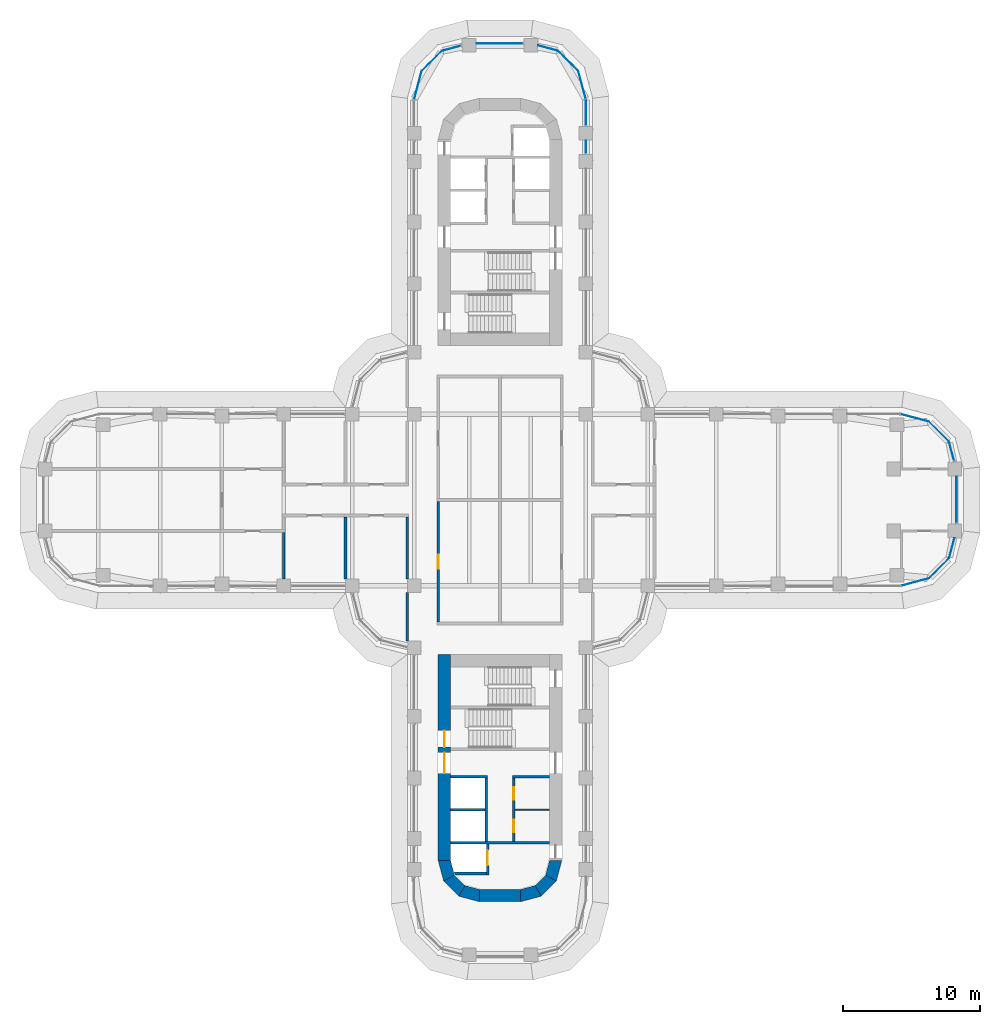
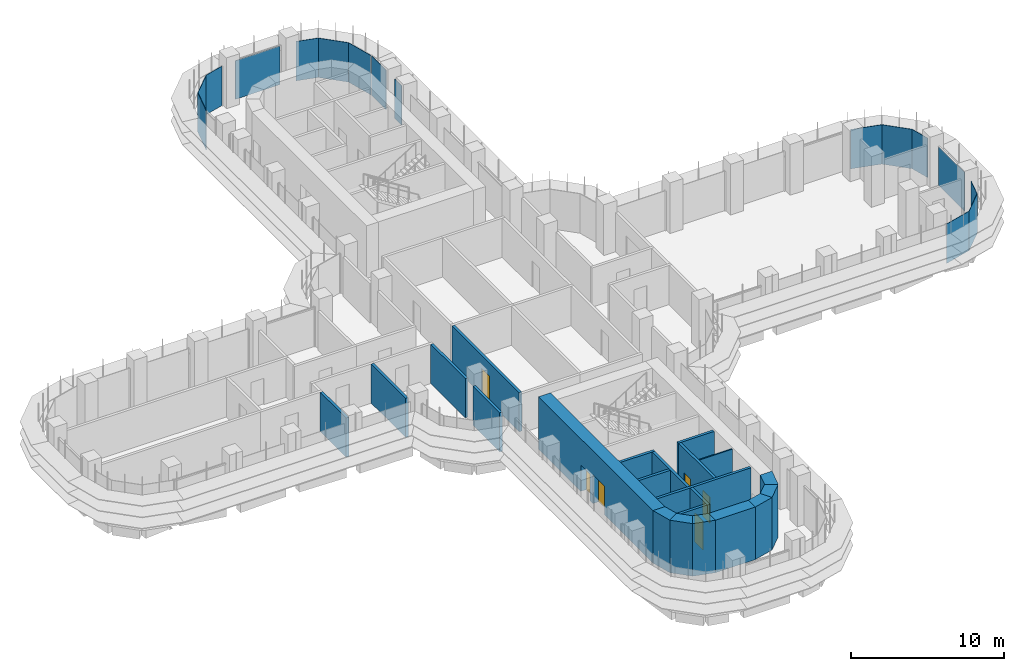
# One storey, part 16 of 23: 22 walls, 16 plates, 6 doors, 6 openings, 15 elements without a shape of their own.
"""IFC4 building model written with IfcOpenShell, lengths in metres."""

from ifc_helpers import new_model, si_unit, direction, frame, frame_2d, origin, place, context, subcontext, project, spatial, polyline, rectangle, outline, extrude, source, transform, mapped, material, layer, layer_set, type_object, element, fill, aggregate, save


model = new_model("IFC4")

# Units and contexts
model_context = context("Model", 3, precision=1e-05, world=origin(), true_north=direction((0.0, 1.0)))
body_context = subcontext(model_context, "Body", "Model", "MODEL_VIEW")
ifc_project = project(units=[si_unit("LENGTHUNIT", "METRE"), si_unit("AREAUNIT", "SQUARE_METRE"), si_unit("VOLUMEUNIT", "CUBIC_METRE"), si_unit("PLANEANGLEUNIT", "RADIAN"), si_unit("MASSUNIT", "GRAM", prefix="KILO")], contexts=[model_context])

# Site, building, storey
site_placement = place(None, origin())
site = spatial("IfcSite", under=ifc_project, at=site_placement, CompositionType="ELEMENT")
building_placement = place(site_placement, origin())
building = spatial("IfcBuilding", under=site, at=building_placement, Name="Zarbagh Exchange Tower", CompositionType="ELEMENT")
storey_placement = place(building_placement, frame((0.0, 0.0, 64.800048828125)))
storey = spatial("IfcBuildingStorey", under=building, at=storey_placement, Name="L14", CompositionType="ELEMENT", Elevation=64.800048828125)

# Curtain wall, plate
ifc_material_1 = material(Name="Anodised aluminium frame and glazing", Category="aluminium")
curtain_wall_type = type_object("IfcCurtainWallType", Name="CWA Ribbon glazing, lower zones", PredefinedType="NOTDEFINED", material=ifc_material_1)
curtain_wall_1_placement = place(storey_placement, origin())
curtain_wall_1 = element("IfcCurtainWall", 1, at=curtain_wall_1_placement, inside=storey, type_object=curtain_wall_type, Name="CWA13 curtain wall", PredefinedType="NOTDEFINED")
ifc_material_2 = material(Name="Low-e double glazed unit, 6+12+6 mm")
ifc_layer_1 = layer(ifc_material_2, 0.028076171875)
ifc_layer_set_1 = layer_set([ifc_layer_1], Name="PAA Glazing panel, Low-e double glazed unit, 6+12+6 mm")
plate_type = type_object("IfcPlateType", Name="PAA Glazing panel, Low-e double glazed unit, 6+12+6 mm", PredefinedType="CURTAIN_PANEL", material=ifc_layer_set_1)
shared_shape_1 = source(origin(), body_context, "Body", "SweptSolid", [
    extrude(outline(polyline([(0.0, -0.013916015625), (1.4423828125, -0.013916015625), (1.4423828125, 0.013916015625), (0.0, 0.013916015625), (0.0, -0.013916015625)])), origin(), (0.0, 0.0, 1.0), 3.14990234375),
])
placement = place(storey_placement, origin())
plate_1 = element("IfcPlate", 2, at=placement, type_object=plate_type, Name="CWA13 glazing panel 1.1", PredefinedType="CURTAIN_PANEL", context=body_context, shape_type="MappedRepresentation", body=[
    mapped(shared_shape_1, transform((33.072021484375, 2.847900390625, 0.0), x_axis=(-0.258824779902, 0.965924289636, 0.0), y_axis=(-0.965924289636, -0.258824779902, 0.0), z_axis=(0.0, 0.0, 1.0))),
])
aggregate(curtain_wall_1, [plate_1])

curtain_wall_2_placement = place(storey_placement, origin())
curtain_wall_2 = element("IfcCurtainWall", 3, at=curtain_wall_2_placement, inside=storey, type_object=curtain_wall_type, Name="CWA25 curtain wall", PredefinedType="NOTDEFINED")
plate_2 = element("IfcPlate", 4, at=placement, type_object=plate_type, Name="CWA25 glazing panel 1.1", PredefinedType="CURTAIN_PANEL", context=body_context, shape_type="MappedRepresentation", body=[
    mapped(shared_shape_1, transform((-2.847900390625, 33.072021484375, 0.0), x_axis=(-0.965924289636, -0.258824779902, 0.0), y_axis=(0.258824779902, -0.965924289636, 0.0), z_axis=(0.0, 0.0, 1.0))),
])
aggregate(curtain_wall_2, [plate_2])

curtain_wall_3_placement = place(storey_placement, origin())
curtain_wall_3 = element("IfcCurtainWall", 5, at=curtain_wall_3_placement, inside=storey, type_object=curtain_wall_type, Name="CWA10 curtain wall", PredefinedType="NOTDEFINED")
shared_shape_2 = source(origin(), body_context, "Body", "SweptSolid", [
    extrude(outline(polyline([(0.0, -0.013916015625), (2.061279296875, -0.013916015625), (2.061279296875, 0.013916015625), (0.0, 0.013916015625), (0.0, -0.013916015625)])), origin(), (0.0, 0.0, 1.0), 3.14990234375),
])
plate_3 = element("IfcPlate", 6, at=placement, type_object=plate_type, Name="CWA10 glazing panel 1.1", PredefinedType="CURTAIN_PANEL", context=body_context, shape_type="MappedRepresentation", body=[
    mapped(shared_shape_2, transform((31.2412109375, -5.69873046875, 0.0), x_axis=(0.707106781187, 0.707106781187, 0.0), y_axis=(-0.707106781187, 0.707106781187, 0.0), z_axis=(0.0, 0.0, 1.0))),
])
aggregate(curtain_wall_3, [plate_3])

curtain_wall_4_placement = place(storey_placement, origin())
curtain_wall_4 = element("IfcCurtainWall", 7, at=curtain_wall_4_placement, inside=storey, type_object=curtain_wall_type, Name="CWA14 curtain wall", PredefinedType="NOTDEFINED")
plate_4 = element("IfcPlate", 8, at=placement, type_object=plate_type, Name="CWA14 glazing panel 1.1", PredefinedType="CURTAIN_PANEL", context=body_context, shape_type="MappedRepresentation", body=[
    mapped(shared_shape_2, transform((32.69873046875, 4.2412109375, 0.0), x_axis=(-0.707106781187, 0.707106781187, 0.0), y_axis=(-0.707106781187, -0.707106781187, 0.0), z_axis=(0.0, 0.0, 1.0))),
])
aggregate(curtain_wall_4, [plate_4])

curtain_wall_5_placement = place(storey_placement, origin())
curtain_wall_5 = element("IfcCurtainWall", 9, at=curtain_wall_5_placement, inside=storey, type_object=curtain_wall_type, Name="CWA22 curtain wall", PredefinedType="NOTDEFINED")
plate_5 = element("IfcPlate", 10, at=placement, type_object=plate_type, Name="CWA22 glazing panel 1.1", PredefinedType="CURTAIN_PANEL", context=body_context, shape_type="MappedRepresentation", body=[
    mapped(shared_shape_2, transform((5.69873046875, 31.2412109375, 0.0), x_axis=(-0.707106781187, 0.707106781187, 0.0), y_axis=(-0.707106781187, -0.707106781187, 0.0), z_axis=(0.0, 0.0, 1.0))),
])
aggregate(curtain_wall_5, [plate_5])

curtain_wall_6_placement = place(storey_placement, origin())
curtain_wall_6 = element("IfcCurtainWall", 11, at=curtain_wall_6_placement, inside=storey, type_object=curtain_wall_type, Name="CWA26 curtain wall", PredefinedType="NOTDEFINED")
plate_6 = element("IfcPlate", 12, at=placement, type_object=plate_type, Name="CWA26 glazing panel 1.1", PredefinedType="CURTAIN_PANEL", context=body_context, shape_type="MappedRepresentation", body=[
    mapped(shared_shape_2, transform((-4.2412109375, 32.69873046875, 0.0), x_axis=(-0.707106781187, -0.707106781187, 0.0), y_axis=(0.707106781187, -0.707106781187, 0.0), z_axis=(0.0, 0.0, 1.0))),
])
aggregate(curtain_wall_6, [plate_6])

curtain_wall_7_placement = place(storey_placement, origin())
curtain_wall_7 = element("IfcCurtainWall", 13, at=curtain_wall_7_placement, inside=storey, type_object=curtain_wall_type, Name="CWA15 curtain wall", PredefinedType="NOTDEFINED")
shared_shape_3 = source(origin(), body_context, "Body", "SweptSolid", [
    extrude(outline(polyline([(0.0, -0.013916015625), (2.129638671875, -0.013916015625), (2.129638671875, 0.013916015625), (0.0, 0.013916015625), (0.0, -0.013916015625)])), origin(), (0.0, 0.0, 1.0), 3.14990234375),
])
plate_7 = element("IfcPlate", 14, at=placement, type_object=plate_type, Name="CWA15 glazing panel 1.1", PredefinedType="CURTAIN_PANEL", context=body_context, shape_type="MappedRepresentation", body=[
    mapped(shared_shape_3, transform((31.2412109375, 5.69873046875, 0.0), x_axis=(-0.965924289636, 0.258824779902, 0.0), y_axis=(-0.258824779902, -0.965924289636, 0.0), z_axis=(0.0, 0.0, 1.0))),
])
aggregate(curtain_wall_7, [plate_7])

curtain_wall_8_placement = place(storey_placement, origin())
curtain_wall_8 = element("IfcCurtainWall", 15, at=curtain_wall_8_placement, inside=storey, type_object=curtain_wall_type, Name="CWA27 curtain wall", PredefinedType="NOTDEFINED")
plate_8 = element("IfcPlate", 16, at=placement, type_object=plate_type, Name="CWA27 glazing panel 1.1", PredefinedType="CURTAIN_PANEL", context=body_context, shape_type="MappedRepresentation", body=[
    mapped(shared_shape_3, transform((-5.69873046875, 31.2412109375, 0.0), x_axis=(-0.258824779902, -0.965924289636, 0.0), y_axis=(0.965924289636, -0.258824779902, 0.0), z_axis=(0.0, 0.0, 1.0))),
])
aggregate(curtain_wall_8, [plate_8])

curtain_wall_9_placement = place(storey_placement, origin())
curtain_wall_9 = element("IfcCurtainWall", 17, at=curtain_wall_9_placement, inside=storey, type_object=curtain_wall_type, Name="CWA09 curtain wall", PredefinedType="NOTDEFINED")
shared_shape_4 = source(origin(), body_context, "Body", "SweptSolid", [
    extrude(outline(polyline([(0.0, -0.013916015625), (2.069580078125, -0.013916015625), (2.069580078125, 0.013916015625), (0.0, 0.013916015625), (0.0, -0.013916015625)])), origin(), (0.0, 0.0, 1.0), 3.14990234375),
])
plate_9 = element("IfcPlate", 18, at=placement, type_object=plate_type, Name="CWA09 glazing panel 1.1", PredefinedType="CURTAIN_PANEL", context=body_context, shape_type="MappedRepresentation", body=[
    mapped(shared_shape_4, transform((29.2421875, -6.234375, 0.0), x_axis=(0.965924289636, 0.258824779902, 0.0), y_axis=(-0.258824779902, 0.965924289636, 0.0), z_axis=(0.0, 0.0, 1.0))),
])
aggregate(curtain_wall_9, [plate_9])

curtain_wall_10_placement = place(storey_placement, origin())
curtain_wall_10 = element("IfcCurtainWall", 19, at=curtain_wall_10_placement, inside=storey, type_object=curtain_wall_type, Name="CWA21 curtain wall", PredefinedType="NOTDEFINED")
plate_10 = element("IfcPlate", 20, at=placement, type_object=plate_type, Name="CWA21 glazing panel 1.1", PredefinedType="CURTAIN_PANEL", context=body_context, shape_type="MappedRepresentation", body=[
    mapped(shared_shape_4, transform((6.234375, 29.2421875, 0.0), x_axis=(-0.258824779902, 0.965924289636, 0.0), y_axis=(-0.965924289636, -0.258824779902, 0.0), z_axis=(0.0, 0.0, 1.0))),
])
aggregate(curtain_wall_10, [plate_10])

curtain_wall_11_placement = place(storey_placement, origin())
curtain_wall_11 = element("IfcCurtainWall", 21, at=curtain_wall_11_placement, inside=storey, type_object=curtain_wall_type, Name="CWA11 curtain wall", PredefinedType="NOTDEFINED")
shared_shape_5 = source(origin(), body_context, "Body", "SweptSolid", [
    extrude(outline(polyline([(0.0, -0.013916015625), (1.50244140625, -0.013916015625), (1.50244140625, 0.013916015625), (0.0, 0.013916015625), (0.0, -0.013916015625)])), origin(), (0.0, 0.0, 1.0), 3.14990234375),
])
plate_11 = element("IfcPlate", 22, at=placement, type_object=plate_type, Name="CWA11 glazing panel 1.1", PredefinedType="CURTAIN_PANEL", context=body_context, shape_type="MappedRepresentation", body=[
    mapped(shared_shape_5, transform((32.69873046875, -4.2412109375, 0.0), x_axis=(0.258824779902, 0.965924289636, 0.0), y_axis=(-0.965924289636, 0.258824779902, 0.0), z_axis=(0.0, 0.0, 1.0))),
])
aggregate(curtain_wall_11, [plate_11])

curtain_wall_12_placement = place(storey_placement, origin())
curtain_wall_12 = element("IfcCurtainWall", 23, at=curtain_wall_12_placement, inside=storey, type_object=curtain_wall_type, Name="CWA23 curtain wall", PredefinedType="NOTDEFINED")
plate_12 = element("IfcPlate", 24, at=placement, type_object=plate_type, Name="CWA23 glazing panel 1.1", PredefinedType="CURTAIN_PANEL", context=body_context, shape_type="MappedRepresentation", body=[
    mapped(shared_shape_5, transform((4.2412109375, 32.69873046875, 0.0), x_axis=(-0.965924289636, 0.258824779902, 0.0), y_axis=(-0.258824779902, -0.965924289636, 0.0), z_axis=(0.0, 0.0, 1.0))),
])
aggregate(curtain_wall_12, [plate_12])

curtain_wall_13_placement = place(storey_placement, origin())
curtain_wall_13 = element("IfcCurtainWall", 25, at=curtain_wall_13_placement, inside=storey, type_object=curtain_wall_type, Name="CWA12 curtain wall", PredefinedType="NOTDEFINED")
shared_shape_6 = source(origin(), body_context, "Body", "SweptSolid", [
    extrude(outline(polyline([(0.0, -0.013916015625), (3.360107421875, -0.013916015625), (3.360107421875, 0.013916015625), (0.0, 0.013916015625), (0.0, -0.013916015625)])), origin(), (0.0, 0.0, 1.0), 3.090087890625),
])
plate_13 = element("IfcPlate", 26, at=placement, type_object=plate_type, Name="CWA12 glazing panel 1.1", PredefinedType="CURTAIN_PANEL", context=body_context, shape_type="MappedRepresentation", body=[
    mapped(shared_shape_6, transform((33.25, -1.64990234375, 0.0), x_axis=(0.0, 1.0, 0.0), y_axis=(-1.0, 0.0, 0.0), z_axis=(0.0, 0.0, 1.0))),
])
aggregate(curtain_wall_13, [plate_13])

curtain_wall_14_placement = place(storey_placement, origin())
curtain_wall_14 = element("IfcCurtainWall", 27, at=curtain_wall_14_placement, inside=storey, type_object=curtain_wall_type, Name="CWA24 curtain wall", PredefinedType="NOTDEFINED")
plate_14 = element("IfcPlate", 28, at=placement, type_object=plate_type, Name="CWA24 glazing panel 1.1", PredefinedType="CURTAIN_PANEL", context=body_context, shape_type="MappedRepresentation", body=[
    mapped(shared_shape_6, transform((1.64990234375, 33.25, 0.0), x_axis=(-1.0, 0.0, 0.0), y_axis=(0.0, -1.0, 0.0), z_axis=(0.0, 0.0, 1.0))),
])
aggregate(curtain_wall_14, [plate_14])

# Curtain wall, plates
curtain_wall_15_placement = place(storey_placement, origin())
curtain_wall_15 = element("IfcCurtainWall", 29, at=curtain_wall_15_placement, inside=storey, type_object=curtain_wall_type, Name="CWA20 curtain wall", PredefinedType="NOTDEFINED")
shared_shape_7 = source(origin(), body_context, "Body", "SweptSolid", [
    extrude(outline(polyline([(0.0, -0.013916015625), (0.909912109375, -0.013916015625), (0.909912109375, 0.013916015625), (0.0, 0.013916015625), (0.0, -0.013916015625)])), origin(), (0.0, 0.0, 1.0), 3.14990234375),
])
plate_15 = element("IfcPlate", 30, at=placement, type_object=plate_type, Name="CWA20 glazing panel 4.1", PredefinedType="CURTAIN_PANEL", context=body_context, shape_type="MappedRepresentation", body=[
    mapped(shared_shape_7, transform((6.25, 25.25, 0.0), x_axis=(0.0, 1.0, 0.0), y_axis=(-1.0, 0.0, 0.0), z_axis=(0.0, 0.0, 1.0))),
])
shared_shape_8 = source(origin(), body_context, "Body", "SweptSolid", [
    extrude(outline(polyline([(0.0, -0.013916015625), (1.884033203125, -0.013916015625), (1.884033203125, 0.013916015625), (0.0, 0.013916015625), (0.0, -0.013916015625)])), origin(), (0.0, 0.0, 1.0), 3.14990234375),
])
plate_16 = element("IfcPlate", 31, at=placement, type_object=plate_type, Name="CWA20 glazing panel 5.1", PredefinedType="CURTAIN_PANEL", context=body_context, shape_type="MappedRepresentation", body=[
    mapped(shared_shape_8, transform((6.25, 27.300048828125, 0.0), x_axis=(0.0, 1.0, 0.0), y_axis=(-1.0, 0.0, 0.0), z_axis=(0.0, 0.0, 1.0))),
])
aggregate(curtain_wall_15, [plate_15, plate_16])

# Wall
ifc_material_3 = material(Name="Dense blockwork", Category="masonry")
ifc_layer_2 = layer(ifc_material_3, 0.10009765625)
ifc_layer_set_2 = layer_set([ifc_layer_2], Name="Core partition 100 mm blockwork")
wall_type_1 = type_object("IfcWallType", Name="Core partition 100 mm blockwork", PredefinedType="PARTITIONING", material=ifc_layer_set_2)
wall_1_placement = place(storey_placement, frame((3.60009765625, -22.550048828125, 0.0), z_axis=(0.0, 0.0, 1.0), x_axis=(-1.0, 0.0, 0.0)))
element("IfcWall", 32, at=wall_1_placement, inside=storey, type_object=wall_type_1, Name="South core partition wall CUT-W-580", PredefinedType="PARTITIONING", context=body_context, shape_type="SweptSolid", body=[
    extrude(rectangle(XDim=2.5, YDim=0.10009765625, at=frame_2d((1.25, 0.0))), origin(), (0.0, 0.0, 1.0), 4.050048828125),
])

# Wall, opening, door
ifc_material_4 = material(Name="Fire-rated plasterboard partition")
ifc_layer_3 = layer(ifc_material_4, 0.199951171875)
ifc_layer_set_3 = layer_set([ifc_layer_3], Name="RATED PARTITION 200")
wall_type_2 = type_object("IfcWallType", Name="RATED PARTITION 200", PredefinedType="PARTITIONING", material=ifc_layer_set_3)
wall_2_placement = place(storey_placement, frame((-4.5, -0.10009765625, 0.0), z_axis=(0.0, 0.0, 1.0), x_axis=(0.0, -1.0, 0.0)))
wall_2 = element("IfcWall", 33, at=wall_2_placement, inside=storey, type_object=wall_type_2, Name="Partition W-402", PredefinedType="PARTITIONING", context=body_context, shape_type="SweptSolid", body=[
    extrude(rectangle(XDim=8.7998046875, YDim=0.199951171875, at=frame_2d((4.39990234375, 0.0))), origin(), (0.0, 0.0, 1.0), 3.13037109375),
])
opening_1_placement = place(wall_2_placement, frame((3.89990234375, 0.0, 0.0)))
opening_1 = element("IfcOpeningElement", 34, at=opening_1_placement, cuts=wall_2, Name="Opening D-404", PredefinedType="OPENING", context=body_context, shape_type="SweptSolid", body=[
    extrude(rectangle(XDim=1.0, YDim=2.10009765625, at=frame_2d((0.5, 1.050048828125))), frame((0.0, 0.10986328125, 0.0), z_axis=(0.0, -1.0, 0.0), x_axis=(1.0, 0.0, 0.0)), (0.0, 0.0, 1.0), 0.219970703125),
])
ifc_material_5 = material(Name="Steel door set", Category="steel")
door_type_1 = type_object("IfcDoorType", Name="FIRE DOOR 1000 X 2100 FD30S", OperationType="NOTDEFINED", PredefinedType="DOOR", material=ifc_material_5)
door_1_placement = place(opening_1_placement, origin())
door_1 = element("IfcDoor", 35, at=door_1_placement, inside=storey, type_object=door_type_1, Name="Door D-404", OperationType="SINGLE_SWING_RIGHT", OverallHeight=2.10009765625, OverallWidth=1.0, PredefinedType="DOOR", context=body_context, shape_type="SweptSolid", body=[
    extrude(rectangle(XDim=1.0, YDim=2.10009765625, at=frame_2d((0.5, 1.050048828125))), frame((0.0, 0.02490234375, 0.0), z_axis=(0.0, -1.0, 0.0), x_axis=(1.0, 0.0, 0.0)), (0.0, 0.0, 1.0), 0.050048828125),
])
fill(opening_1, door_1)

# Walls
wall_3_placement = place(storey_placement, frame((-6.75, -10.25, 0.0), z_axis=(0.0, 0.0, 1.0), x_axis=(0.0, 1.0, 0.0)))
element("IfcWall", 36, at=wall_3_placement, inside=storey, type_object=wall_type_2, Name="Partition W-405", PredefinedType="PARTITIONING", context=body_context, shape_type="SweptSolid", body=[
    extrude(rectangle(XDim=3.5, YDim=0.199951171875, at=frame_2d((1.75, 0.0))), origin(), (0.0, 0.0, 1.0), 3.13037109375),
])
for number, where, z_axis, x_axis, name in (
    (37, (-6.75, -5.75, 0.0), (0.0, 0.0, 1.0), (0.0, 1.0, 0.0), "Partition W-406"),
    (38, (-11.25, -5.75, 0.0), (0.0, 0.0, 1.0), (0.0, 1.0, 0.0), "Partition W-435"),
):
    element("IfcWall", number, at=place(storey_placement, frame(where, z_axis=z_axis, x_axis=x_axis)), inside=storey, type_object=wall_type_2, Name=name, PredefinedType="PARTITIONING", context=body_context, shape_type="SweptSolid", body=[
        extrude(rectangle(XDim=4.52490234375, YDim=0.199951171875, at=frame_2d((2.262451171875, 0.0))), origin(), (0.0, 0.0, 1.0), 3.13037109375),
    ])
wall_4_placement = place(storey_placement, frame((-15.75, -5.75, 0.0), z_axis=(0.0, 0.0, 1.0), x_axis=(0.0, 1.0, 0.0)))
element("IfcWall", 39, at=wall_4_placement, inside=storey, type_object=wall_type_2, Name="Partition W-439", PredefinedType="PARTITIONING", context=body_context, shape_type="SweptSolid", body=[
    extrude(rectangle(XDim=3.39990234375, YDim=0.199951171875, at=frame_2d((1.699951171875, 0.0))), origin(), (0.0, 0.0, 1.0), 3.13037109375),
])
ifc_material_6 = material(Name="Concrete C60/75", Category="concrete")
ifc_layer_4 = layer(ifc_material_6, 0.89990234375)
ifc_layer_set_4 = layer_set([ifc_layer_4], Name="RC core corner wall 900 C60/75")
wall_type_3 = type_object("IfcWallType", Name="RC core corner wall 900 C60/75", PredefinedType="SHEAR", material=ifc_layer_set_4)
wall_5_placement = place(storey_placement, origin())
element("IfcWall", 40, at=wall_5_placement, inside=storey, type_object=wall_type_3, Name="CW2 core S corner W", PredefinedType="SHEAR", context=body_context, shape_type="SweptSolid", body=[
    extrude(outline(polyline([(-4.5, -26.25), (-4.09814453125, -27.75), (-3.318603515625, -27.300048828125), (-3.60009765625, -26.25), (-4.5, -26.25)])), origin(), (0.0, 0.0, 1.0), 4.199951171875),
])
wall_6_placement = place(storey_placement, origin())
element("IfcWall", 41, at=wall_6_placement, inside=storey, type_object=wall_type_3, Name="CW2 core S corner W", PredefinedType="SHEAR", context=body_context, shape_type="SweptSolid", body=[
    extrude(outline(polyline([(-4.09814453125, -27.75), (-3.0, -28.84814453125), (-2.550048828125, -28.068603515625), (-3.318603515625, -27.300048828125), (-4.09814453125, -27.75)])), origin(), (0.0, 0.0, 1.0), 4.199951171875),
])
wall_7_placement = place(storey_placement, origin())
element("IfcWall", 42, at=wall_7_placement, inside=storey, type_object=wall_type_3, Name="CW2 core S corner W", PredefinedType="SHEAR", context=body_context, shape_type="SweptSolid", body=[
    extrude(outline(polyline([(-3.0, -28.84814453125), (-1.5, -29.25), (-1.5, -28.35009765625), (-2.550048828125, -28.068603515625), (-3.0, -28.84814453125)])), origin(), (0.0, 0.0, 1.0), 4.199951171875),
])
wall_8_placement = place(storey_placement, origin())
element("IfcWall", 43, at=wall_8_placement, inside=storey, type_object=wall_type_3, Name="CW2 core S corner E", PredefinedType="SHEAR", context=body_context, shape_type="SweptSolid", body=[
    extrude(outline(polyline([(4.5, -26.25), (4.09814453125, -27.75), (3.318603515625, -27.300048828125), (3.60009765625, -26.25), (4.5, -26.25)])), origin(), (0.0, 0.0, 1.0), 4.199951171875),
])
wall_9_placement = place(storey_placement, origin())
element("IfcWall", 44, at=wall_9_placement, inside=storey, type_object=wall_type_3, Name="CW2 core S corner E", PredefinedType="SHEAR", context=body_context, shape_type="SweptSolid", body=[
    extrude(outline(polyline([(4.09814453125, -27.75), (3.0, -28.84814453125), (2.550048828125, -28.068603515625), (3.318603515625, -27.300048828125), (4.09814453125, -27.75)])), origin(), (0.0, 0.0, 1.0), 4.199951171875),
])
wall_10_placement = place(storey_placement, origin())
element("IfcWall", 45, at=wall_10_placement, inside=storey, type_object=wall_type_3, Name="CW2 core S corner E", PredefinedType="SHEAR", context=body_context, shape_type="SweptSolid", body=[
    extrude(outline(polyline([(3.0, -28.84814453125), (1.5, -29.25), (1.5, -28.35009765625), (2.550048828125, -28.068603515625), (3.0, -28.84814453125)])), origin(), (0.0, 0.0, 1.0), 4.199951171875),
])

# Wall, openings, doors
ifc_layer_5 = layer(ifc_material_6, 0.89990234375)
ifc_layer_set_5 = layer_set([ifc_layer_5], Name="RC core wall 900 C60/75")
wall_type_4 = type_object("IfcWallType", Name="RC core wall 900 C60/75", PredefinedType="SHEAR", material=ifc_layer_set_5)
wall_11_placement = place(storey_placement, frame((-4.050048828125, -11.25, 0.0), z_axis=(0.0, 0.0, 1.0), x_axis=(0.0, -1.0, 0.0)))
wall_11 = element("IfcWall", 46, at=wall_11_placement, inside=storey, type_object=wall_type_4, Name="CW1 core S W", PredefinedType="SHEAR", context=body_context, shape_type="SweptSolid", body=[
    extrude(rectangle(XDim=15.0, YDim=0.89990234375, at=frame_2d((7.5, 0.0))), origin(), (0.0, 0.0, 1.0), 4.199951171875),
])
opening_2_placement = place(wall_11_placement, frame((7.14990234375, 0.0, 0.0)))
opening_2 = element("IfcOpeningElement", 47, at=opening_2_placement, cuts=wall_11, Name="Opening CD1-1500", PredefinedType="OPENING", context=body_context, shape_type="SweptSolid", body=[
    extrude(rectangle(XDim=1.5, YDim=2.300048828125, at=frame_2d((0.75, 1.14990234375))), frame((0.0, 0.4599609375, 0.0), z_axis=(0.0, -1.0, 0.0), x_axis=(1.0, 0.0, 0.0)), (0.0, 0.0, 1.0), 0.919921875),
])
opening_3_placement = place(wall_11_placement, frame((5.550048828125, 0.0, 0.0)))
opening_3 = element("IfcOpeningElement", 48, at=opening_3_placement, cuts=wall_11, Name="Opening SD1-1200", PredefinedType="OPENING", context=body_context, shape_type="SweptSolid", body=[
    extrude(rectangle(XDim=1.199951171875, YDim=2.10009765625, at=frame_2d((0.60009765625, 1.050048828125))), frame((0.0, 0.4599609375, 0.0), z_axis=(0.0, -1.0, 0.0), x_axis=(1.0, 0.0, 0.0)), (0.0, 0.0, 1.0), 0.919921875),
])
ifc_material_7 = material(Name="Steel", Category="steel")
door_type_2 = type_object("IfcDoorType", Name="Exit stair door 1200 x 2100", OperationType="NOTDEFINED", PredefinedType="DOOR", material=ifc_material_7)
door_2_placement = place(opening_3_placement, origin())
door_2 = element("IfcDoor", 49, at=door_2_placement, inside=storey, type_object=door_type_2, Name="South core stair door ST1", OperationType="SINGLE_SWING_LEFT", OverallHeight=2.10009765625, OverallWidth=1.199951171875, PredefinedType="DOOR", context=body_context, shape_type="SweptSolid", body=[
    extrude(rectangle(XDim=1.199951171875, YDim=2.10009765625, at=frame_2d((0.60009765625, 1.050048828125))), frame((0.0, 0.02490234375, 0.0), z_axis=(0.0, -1.0, 0.0), x_axis=(1.0, 0.0, 0.0)), (0.0, 0.0, 1.0), 0.050048828125),
])
fill(opening_3, door_2)
door_type_3 = type_object("IfcDoorType", Name="Lift lobby double door 1500 x 2300", OperationType="NOTDEFINED", PredefinedType="DOOR", material=ifc_material_7)
door_3_placement = place(opening_2_placement, origin())
door_3 = element("IfcDoor", 50, at=door_3_placement, inside=storey, type_object=door_type_3, Name="South core lift lobby door LOBBY-E", OperationType="DOUBLE_DOOR_SINGLE_SWING", OverallHeight=2.300048828125, OverallWidth=1.5, PredefinedType="DOOR", context=body_context, shape_type="SweptSolid", body=[
    extrude(rectangle(XDim=1.5, YDim=2.300048828125, at=frame_2d((0.75, 1.14990234375))), frame((0.0, 0.02490234375, 0.0), z_axis=(0.0, -1.0, 0.0), x_axis=(1.0, 0.0, 0.0)), (0.0, 0.0, 1.0), 0.050048828125),
])
fill(opening_2, door_3)

# Walls
wall_12_placement = place(storey_placement, frame((-1.5, -28.800048828125, 0.0), z_axis=(0.0, 0.0, 1.0), x_axis=(1.0, 0.0, 0.0)))
element("IfcWall", 51, at=wall_12_placement, inside=storey, type_object=wall_type_4, Name="CW1 core S outer end", PredefinedType="SHEAR", context=body_context, shape_type="SweptSolid", body=[
    extrude(rectangle(XDim=3.0, YDim=0.89990234375, at=frame_2d((1.5, 0.0))), origin(), (0.0, 0.0, 1.0), 4.199951171875),
])
ifc_layer_6 = layer(ifc_material_3, 0.199951171875)
ifc_layer_set_6 = layer_set([ifc_layer_6], Name="Shaft wall 200 mm blockwork")
wall_type_5 = type_object("IfcWallType", Name="Shaft wall 200 mm blockwork", PredefinedType="PARTITIONING", material=ifc_layer_set_6)
wall_13_placement = place(storey_placement, frame((3.60009765625, -20.14990234375, 0.0), z_axis=(0.0, 0.0, 1.0), x_axis=(-1.0, 0.0, 0.0)))
element("IfcWall", 52, at=wall_13_placement, inside=storey, type_object=wall_type_5, Name="South core shaft wall AB-W", PredefinedType="PARTITIONING", context=body_context, shape_type="SweptSolid", body=[
    extrude(rectangle(XDim=2.7001953125, YDim=0.199951171875, at=frame_2d((1.35009765625, 0.0))), origin(), (0.0, 0.0, 1.0), 4.050048828125),
])

# Wall, openings, doors
wall_14_placement = place(storey_placement, frame((1.0, -24.85009765625, 0.0), z_axis=(0.0, 0.0, 1.0), x_axis=(0.0, 1.0, 0.0)))
wall_14 = element("IfcWall", 53, at=wall_14_placement, inside=storey, type_object=wall_type_5, Name="South core shaft wall LW-W", PredefinedType="PARTITIONING", context=body_context, shape_type="SweptSolid", body=[
    extrude(rectangle(XDim=4.60009765625, YDim=0.199951171875, at=frame_2d((2.300048828125, 0.0))), origin(), (0.0, 0.0, 1.0), 4.050048828125),
])
opening_4_placement = place(wall_14_placement, frame((0.675048828125, 0.0, 0.0)))
opening_4 = element("IfcOpeningElement", 54, at=opening_4_placement, cuts=wall_14, Name="Opening CD3-900", PredefinedType="OPENING", context=body_context, shape_type="SweptSolid", body=[
    extrude(rectangle(XDim=0.89990234375, YDim=2.10009765625, at=frame_2d((0.449951171875, 1.050048828125))), frame((0.0, 0.10986328125, 0.0), z_axis=(0.0, -1.0, 0.0), x_axis=(1.0, 0.0, 0.0)), (0.0, 0.0, 1.0), 0.219970703125),
])
opening_5_placement = place(wall_14_placement, frame((3.02490234375, 0.0, 0.0)))
opening_5 = element("IfcOpeningElement", 55, at=opening_5_placement, cuts=wall_14, Name="Opening CD3-900", PredefinedType="OPENING", context=body_context, shape_type="SweptSolid", body=[
    extrude(rectangle(XDim=0.89990234375, YDim=2.10009765625, at=frame_2d((0.449951171875, 1.050048828125))), frame((0.0, 0.10986328125, 0.0), z_axis=(0.0, -1.0, 0.0), x_axis=(1.0, 0.0, 0.0)), (0.0, 0.0, 1.0), 0.219970703125),
])
door_type_4 = type_object("IfcDoorType", Name="Core room door 900 x 2100", OperationType="NOTDEFINED", PredefinedType="DOOR", material=ifc_material_7)
door_4_placement = place(opening_4_placement, origin())
door_4 = element("IfcDoor", 56, at=door_4_placement, inside=storey, type_object=door_type_4, Name="South core Staff WC door RD-W-0", OperationType="SINGLE_SWING_LEFT", OverallHeight=2.10009765625, OverallWidth=0.89990234375, PredefinedType="DOOR", context=body_context, shape_type="SweptSolid", body=[
    extrude(rectangle(XDim=0.89990234375, YDim=2.10009765625, at=frame_2d((0.449951171875, 1.050048828125))), frame((0.0, 0.02490234375, 0.0), z_axis=(0.0, -1.0, 0.0), x_axis=(1.0, 0.0, 0.0)), (0.0, 0.0, 1.0), 0.050048828125),
])
fill(opening_4, door_4)
door_5_placement = place(opening_5_placement, origin())
door_5 = element("IfcDoor", 57, at=door_5_placement, inside=storey, type_object=door_type_4, Name="South core Accessible WC door RD-W-1", OperationType="SINGLE_SWING_LEFT", OverallHeight=2.10009765625, OverallWidth=0.89990234375, PredefinedType="DOOR", context=body_context, shape_type="SweptSolid", body=[
    extrude(rectangle(XDim=0.89990234375, YDim=2.10009765625, at=frame_2d((0.449951171875, 1.050048828125))), frame((0.0, 0.02490234375, 0.0), z_axis=(0.0, -1.0, 0.0), x_axis=(1.0, 0.0, 0.0)), (0.0, 0.0, 1.0), 0.050048828125),
])
fill(opening_5, door_5)

# Walls
wall_15_placement = place(storey_placement, frame((-0.89990234375, -20.14990234375, 0.0), z_axis=(0.0, 0.0, 1.0), x_axis=(-1.0, 0.0, 0.0)))
element("IfcWall", 58, at=wall_15_placement, inside=storey, type_object=wall_type_5, Name="South core shaft wall AB-E", PredefinedType="PARTITIONING", context=body_context, shape_type="SweptSolid", body=[
    extrude(rectangle(XDim=2.7001953125, YDim=0.199951171875, at=frame_2d((1.35009765625, 0.0))), origin(), (0.0, 0.0, 1.0), 4.050048828125),
])
wall_16_placement = place(storey_placement, frame((-1.0, -24.85009765625, 0.0), z_axis=(0.0, 0.0, 1.0), x_axis=(0.0, 1.0, 0.0)))
element("IfcWall", 59, at=wall_16_placement, inside=storey, type_object=wall_type_5, Name="South core shaft wall LW-E", PredefinedType="PARTITIONING", context=body_context, shape_type="SweptSolid", body=[
    extrude(rectangle(XDim=4.60009765625, YDim=0.199951171875, at=frame_2d((2.300048828125, 0.0))), origin(), (0.0, 0.0, 1.0), 4.050048828125),
])
wall_17_placement = place(storey_placement, frame((-1.10009765625, -22.550048828125, 0.0), z_axis=(0.0, 0.0, 1.0), x_axis=(-1.0, 0.0, 0.0)))
element("IfcWall", 60, at=wall_17_placement, inside=storey, type_object=wall_type_5, Name="South core shaft wall TR-E", PredefinedType="PARTITIONING", context=body_context, shape_type="SweptSolid", body=[
    extrude(rectangle(XDim=2.5, YDim=0.199951171875, at=frame_2d((1.25, 0.0))), origin(), (0.0, 0.0, 1.0), 4.050048828125),
])
ifc_material_8 = material(Name="Concrete C40/50", Category="concrete")
ifc_layer_7 = layer(ifc_material_8, 0.199951171875)
ifc_layer_set_7 = layer_set([ifc_layer_7], Name="Stair enclosure wall 200 mm RC C40/50")
wall_type_6 = type_object("IfcWallType", Name="Stair enclosure wall 200 mm RC C40/50", PredefinedType="SHEAR", material=ifc_layer_set_7)
wall_18_placement = place(storey_placement, frame((3.60009765625, -24.949951171875, 0.0), z_axis=(0.0, 0.0, 1.0), x_axis=(-1.0, 0.0, 0.0)))
element("IfcWall", 61, at=wall_18_placement, inside=storey, type_object=wall_type_6, Name="South core lift shaft wall FFA", PredefinedType="SHEAR", context=body_context, shape_type="SweptSolid", body=[
    extrude(rectangle(XDim=7.2001953125, YDim=0.199951171875, at=frame_2d((3.60009765625, 0.0))), origin(), (0.0, 0.0, 1.0), 4.050048828125),
])

# Wall, opening, door
wall_19_placement = place(storey_placement, frame((-0.89990234375, -27.300048828125, 0.0), z_axis=(0.0, 0.0, 1.0), x_axis=(0.0, 1.0, 0.0)))
wall_19 = element("IfcWall", 62, at=wall_19_placement, inside=storey, type_object=wall_type_6, Name="South core lift shaft wall FFL", PredefinedType="SHEAR", context=body_context, shape_type="SweptSolid", body=[
    extrude(rectangle(XDim=2.25, YDim=0.199951171875, at=frame_2d((1.125, 0.0))), origin(), (0.0, 0.0, 1.0), 4.050048828125),
])
opening_6_placement = place(wall_19_placement, frame((0.699951171875, 0.0, 0.0)))
opening_6 = element("IfcOpeningElement", 63, at=opening_6_placement, cuts=wall_19, Name="Opening LD-1100", PredefinedType="OPENING", context=body_context, shape_type="SweptSolid", body=[
    extrude(rectangle(XDim=1.10009765625, YDim=2.300048828125, at=frame_2d((0.550048828125, 1.14990234375))), frame((0.0, 0.10986328125, 0.0), z_axis=(0.0, -1.0, 0.0), x_axis=(1.0, 0.0, 0.0)), (0.0, 0.0, 1.0), 0.219970703125),
])
ifc_material_9 = material(Name="Stainless steel", Category="steel")
door_type_5 = type_object("IfcDoorType", Name="Lift landing door 1100 x 2300", OperationType="NOTDEFINED", PredefinedType="DOOR", material=ifc_material_9)
door_6_placement = place(opening_6_placement, origin())
door_6 = element("IfcDoor", 64, at=door_6_placement, inside=storey, type_object=door_type_5, Name="South core lift landing door LD-F", OperationType="DOUBLE_DOOR_SLIDING", OverallHeight=2.300048828125, OverallWidth=1.10009765625, PredefinedType="DOOR", context=body_context, shape_type="SweptSolid", body=[
    extrude(rectangle(XDim=1.10009765625, YDim=2.300048828125, at=frame_2d((0.550048828125, 1.14990234375))), frame((0.0, 0.02490234375, 0.0), z_axis=(0.0, -1.0, 0.0), x_axis=(1.0, 0.0, 0.0)), (0.0, 0.0, 1.0), 0.050048828125),
])
fill(opening_6, door_6)

# Wall
wall_20_placement = place(storey_placement, origin())
element("IfcWall", 65, at=wall_20_placement, inside=storey, type_object=wall_type_6, Name="South core lift shaft wall FFX", PredefinedType="SHEAR", context=body_context, shape_type="SweptSolid", body=[
    extrude(outline(polyline([(-1.0, -27.10009765625), (-3.340576171875, -27.10009765625), (-3.291259765625, -27.2841796875), (-3.275390625, -27.300048828125), (-1.0, -27.300048828125), (-1.0, -27.10009765625)])), origin(), (0.0, 0.0, 1.0), 4.050048828125),
])

save(model, "model.ifc")
